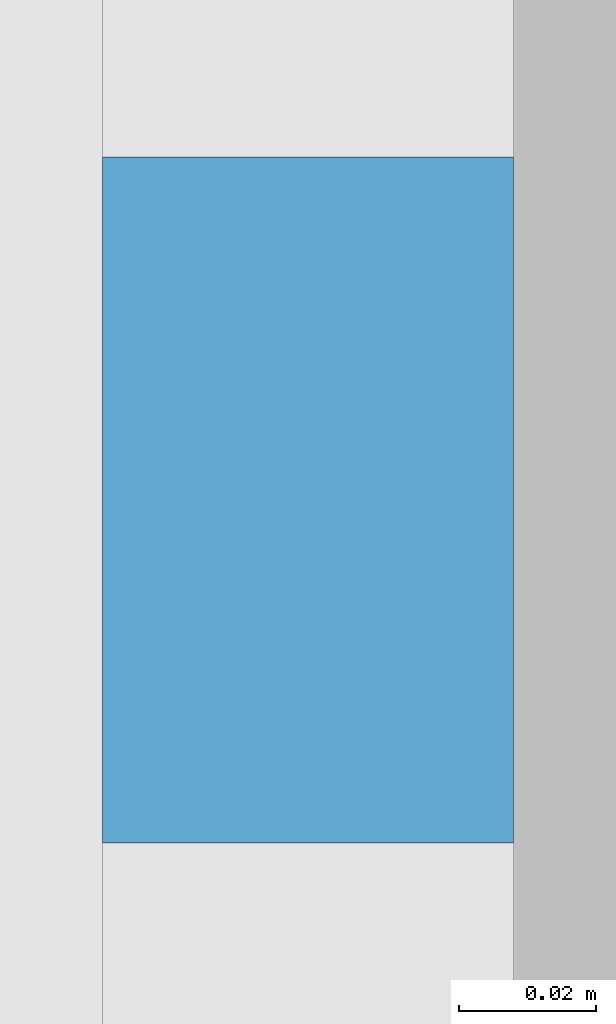
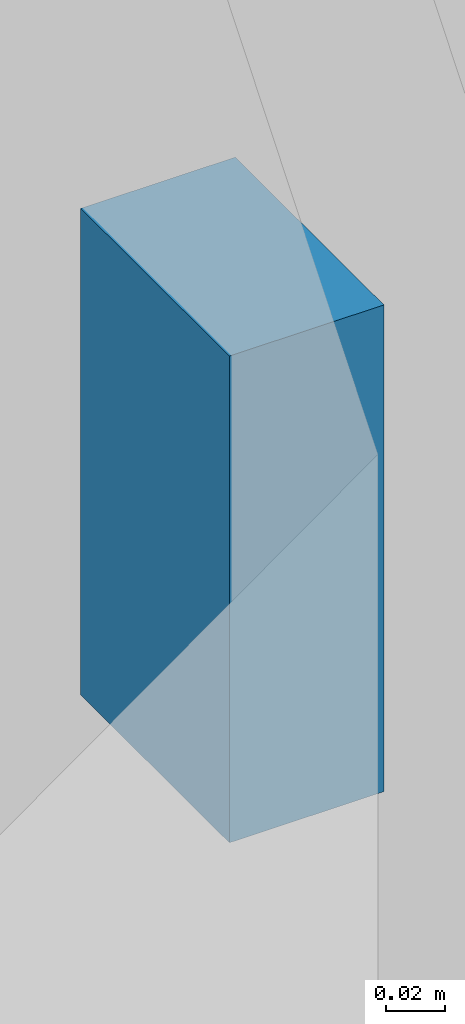
# One storey, part 5 of 9: 1 discrete accessory.
"""IFC4 building model written with IfcOpenShell, lengths in metres."""

import ifcopenshell
import ifcopenshell.guid

model = None  # the IFC model being written
_history = None  # IfcOwnerHistory: only IFC2X3 demands one
_inside = {}  # id of a spatial element -> (the spatial element, [elements in it])
_under = {}  # id of a project, library or spatial element -> (it, [spatial elements below it])
_declared = {}  # id of a project -> (the project, [libraries it declares])
_typed = {}  # id of a type object -> (the type object, [elements of that type])
_made_of = {}  # id of a material, layer set ... -> (it, [elements and type objects made of it])


def new_model(schema):
    """Start an empty IFC model of exactly this schema.

    Asked for "IFC4X3", IfcOpenShell would pick the latest addendum, in which some entities
    have other attributes; the version numbers below select the first issue.
    IFC2X3 requires an IfcOwnerHistory on every rooted entity: one is made here for all.
    """
    global model, _history
    if schema == "IFC4X3":
        model = ifcopenshell.file(schema_version=(4, 3, 0, 0))
    else:
        model = ifcopenshell.file(schema=schema)
    _inside.clear()
    _under.clear()
    _declared.clear()
    _typed.clear()
    _made_of.clear()
    _history = None
    if model.schema == "IFC2X3":
        org = make("IfcOrganization", Name="unknown")
        user = make(
            "IfcPersonAndOrganization",
            ThePerson=make("IfcPerson", FamilyName="unknown"),
            TheOrganization=org,
        )
        app = make(
            "IfcApplication",
            ApplicationDeveloper=org,
            Version="unknown",
            ApplicationFullName="unknown",
            ApplicationIdentifier="unknown",
        )
        _history = make(
            "IfcOwnerHistory",
            OwningUser=user,
            OwningApplication=app,
            ChangeAction="ADDED",
            CreationDate=0,
        )
    return model


def make(cls, **values):
    """One entity of the class cls with the attributes given. An attribute that is None is left unset."""
    return model.create_entity(
        cls, **{name: value for name, value in values.items() if value is not None}
    )


def rooted(cls, **values):
    """An entity with a GlobalId (a new one), such as an element, a storey or a relation."""
    return make(cls, GlobalId=ifcopenshell.guid.new(), OwnerHistory=_history, **values)


def si_unit(unit_type, name, prefix=None):
    """IfcSIUnit, for example si_unit("LENGTHUNIT", "METRE", prefix="MILLI")."""
    return make("IfcSIUnit", UnitType=unit_type, Prefix=prefix, Name=name)


def assignment(units):
    """IfcUnitAssignment: the units of a project."""
    return None if units is None else make("IfcUnitAssignment", Units=units)


def point(xyz):
    """IfcCartesianPoint."""
    return None if xyz is None else make("IfcCartesianPoint", Coordinates=xyz)


def direction(xyz):
    """IfcDirection."""
    return None if xyz is None else make("IfcDirection", DirectionRatios=xyz)


def frame(location, z_axis=None, x_axis=None):
    """IfcAxis2Placement3D, a coordinate frame: its origin and axes. An axis left out is left unset."""
    return make(
        "IfcAxis2Placement3D",
        Location=point(location),
        Axis=direction(z_axis),
        RefDirection=direction(x_axis),
    )


def frame_2d(location, x_axis=None):
    """IfcAxis2Placement2D, a coordinate frame in the plane: its origin and x axis."""
    return make(
        "IfcAxis2Placement2D", Location=point(location), RefDirection=direction(x_axis)
    )


def origin():
    """The frame at (0, 0, 0) with its axes left unset."""
    return frame((0.0, 0.0, 0.0))


def origin_2d():
    """The frame at (0, 0) in the plane with its x axis left unset."""
    return frame_2d((0.0, 0.0))


def place(relative_to, where):
    """IfcLocalPlacement: puts the frame where relative to a parent placement (None: the world)."""
    return make(
        "IfcLocalPlacement", PlacementRelTo=relative_to, RelativePlacement=where
    )


def context(
    kind, dimensions, precision=None, world=None, true_north=None, identifier=None
):
    """IfcGeometricRepresentationContext, for example the 3D "Model" context."""
    return make(
        "IfcGeometricRepresentationContext",
        ContextIdentifier=identifier,
        ContextType=kind,
        CoordinateSpaceDimension=dimensions,
        Precision=precision,
        WorldCoordinateSystem=world,
        TrueNorth=true_north,
    )


def subcontext(parent, identifier, kind, view, scale=None):
    """IfcGeometricRepresentationSubContext, for example "Body" below "Model"."""
    return make(
        "IfcGeometricRepresentationSubContext",
        ContextIdentifier=identifier,
        ContextType=kind,
        ParentContext=parent,
        TargetScale=scale,
        TargetView=view,
    )


def project(units=None, contexts=None):
    """IfcProject with its units and contexts."""
    return rooted(
        "IfcProject",
        Name="project",
        RepresentationContexts=contexts,
        UnitsInContext=assignment(units),
    )


def spatial(cls, under=None, at=None, **own):
    """A site, building, storey or space (cls), placed at a placement, below another one or the project."""
    s = rooted(cls, ObjectPlacement=at, **own)
    if under is not None:
        _under.setdefault(under.id(), (under, []))[1].append(s)
    return s


def profile(cls, at=None, kind="AREA", **sizes):
    """A parametric profile (cls). Its sizes go by their IFC names, for example OverallWidth=200.0."""
    return make(cls, ProfileType=kind, Position=at, **sizes)


def rectangle(**sizes):
    """IfcRectangleProfileDef."""
    return profile("IfcRectangleProfileDef", **sizes)


def extrude(swept, where, along, depth):
    """IfcExtrudedAreaSolid: the profile swept, set in the frame where, extruded along a direction by depth."""
    return make(
        "IfcExtrudedAreaSolid",
        SweptArea=swept,
        Position=where,
        ExtrudedDirection=direction(along),
        Depth=depth,
    )


def shape(context_of_items, identifier, shape_type, items):
    """IfcShapeRepresentation: the items that make up one representation, for example the "Body"."""
    return make(
        "IfcShapeRepresentation",
        ContextOfItems=context_of_items,
        RepresentationIdentifier=identifier,
        RepresentationType=shape_type,
        Items=items,
    )


def material(Name=None, Category=None):
    """IfcMaterial."""
    return make("IfcMaterial", Name=Name, Category=Category)


def made_of(thing, what):
    """Note that an element or type object is made of a material, layer set ...; save() writes the relation."""
    if what is not None:
        _made_of.setdefault(what.id(), (what, []))[1].append(thing)
    return thing


def type_object(cls, material=None, **own):
    """A type object (cls), such as IfcWallType, which elements share."""
    return made_of(rooted(cls, **own), material)


def element(
    cls,
    number,
    at=None,
    inside=None,
    cuts=None,
    type_object=None,
    material=None,
    context=None,
    identifier="Body",
    shape_type=None,
    held_by="IfcProductDefinitionShape",
    body=None,
    shapes=None,
    **own,
):
    """One element of the class cls, such as IfcWall. Its Tag is "e" and its number.

    at: its placement. inside: the storey or other place that contains it. cuts: it is an
    opening in that element (IfcRelVoidsElement). A single representation is given by context,
    identifier, shape_type and body (its items); several are given by shapes. held_by: the class
    of the entity that holds the representations. save() writes the other relations.
    """
    e = rooted(cls, Tag="e%d" % number, ObjectPlacement=at, **own)
    if body is not None:
        shapes = [shape(context, identifier, shape_type, body)]
    if shapes is not None:
        e.Representation = make(held_by, Representations=shapes)
    if inside is not None:
        _inside.setdefault(inside.id(), (inside, []))[1].append(e)
    if cuts is not None:
        rooted(
            "IfcRelVoidsElement", RelatingBuildingElement=cuts, RelatedOpeningElement=e
        )
    if type_object is not None:
        _typed.setdefault(type_object.id(), (type_object, []))[1].append(e)
    return made_of(e, material)


def aggregate(whole, parts):
    """IfcRelAggregates: a whole, such as a stair, and the parts it consists of."""
    return rooted("IfcRelAggregates", RelatingObject=whole, RelatedObjects=parts)


def save(model, path):
    """Write the relations noted so far, then the file.

    IfcRelAggregates (storeys below a building ...), IfcRelContainedInSpatialStructure (elements
    in a storey), IfcRelDefinesByType, IfcRelAssociatesMaterial and IfcRelDeclares: one each for
    every whole, place, type object, material and project.
    """
    for whole, parts in _under.values():
        aggregate(whole, parts)
    for where, things in _inside.values():
        rooted(
            "IfcRelContainedInSpatialStructure",
            RelatedElements=things,
            RelatingStructure=where,
        )
    for kind, things in _typed.values():
        rooted("IfcRelDefinesByType", RelatedObjects=things, RelatingType=kind)
    for what, things in _made_of.values():
        rooted("IfcRelAssociatesMaterial", RelatedObjects=things, RelatingMaterial=what)
    for by, libraries in _declared.values():
        rooted("IfcRelDeclares", RelatingContext=by, RelatedDefinitions=libraries)
    model.write(path)


model = new_model("IFC4")

# Units and contexts
model_context = context("Model", 3, precision=1e-05, world=origin(), true_north=direction((0.0, 1.0)))
body_context = subcontext(model_context, "Body", "Model", "MODEL_VIEW")
ifc_project = project(units=[si_unit("LENGTHUNIT", "METRE"), si_unit("AREAUNIT", "SQUARE_METRE"), si_unit("VOLUMEUNIT", "CUBIC_METRE"), si_unit("PLANEANGLEUNIT", "RADIAN"), si_unit("MASSUNIT", "GRAM", prefix="KILO")], contexts=[model_context])

# Site, building, storey
site_placement = place(None, origin())
site = spatial("IfcSite", under=ifc_project, at=site_placement, CompositionType="ELEMENT")
building_placement = place(site_placement, origin())
building = spatial("IfcBuilding", under=site, at=building_placement, Name="Finial Court Residences", CompositionType="ELEMENT")
storey_placement = place(building_placement, frame((0.0, 0.0, 248.300048828125)))
storey = spatial("IfcBuildingStorey", under=building, at=storey_placement, Name="L63", CompositionType="ELEMENT", Elevation=248.300048828125)

# Discrete accessory
ifc_material = material(Name="Stainless steel 316", Category="steel")
discrete_accessory_type = type_object("IfcDiscreteAccessoryType", Name="Fin bracket, stainless steel 100 x 60 x 200", PredefinedType="BRACKET", material=ifc_material)
discrete_accessory_placement = place(storey_placement, frame((-19.530029296875, -13.5, 0.2998046875), z_axis=(0.0, 0.0, 1.0), x_axis=(1.0, 0.0, 0.0)))
element("IfcDiscreteAccessory", 1, at=discrete_accessory_placement, inside=storey, type_object=discrete_accessory_type, Name="E-L63-FIN-W22-BRK", PredefinedType="BRACKET", context=body_context, shape_type="SweptSolid", body=[
    extrude(rectangle(XDim=0.06005859375, YDim=0.10009765625, at=origin_2d()), origin(), (0.0, 0.0, 1.0), 0.199951171875),
])

save(model, "model.ifc")
